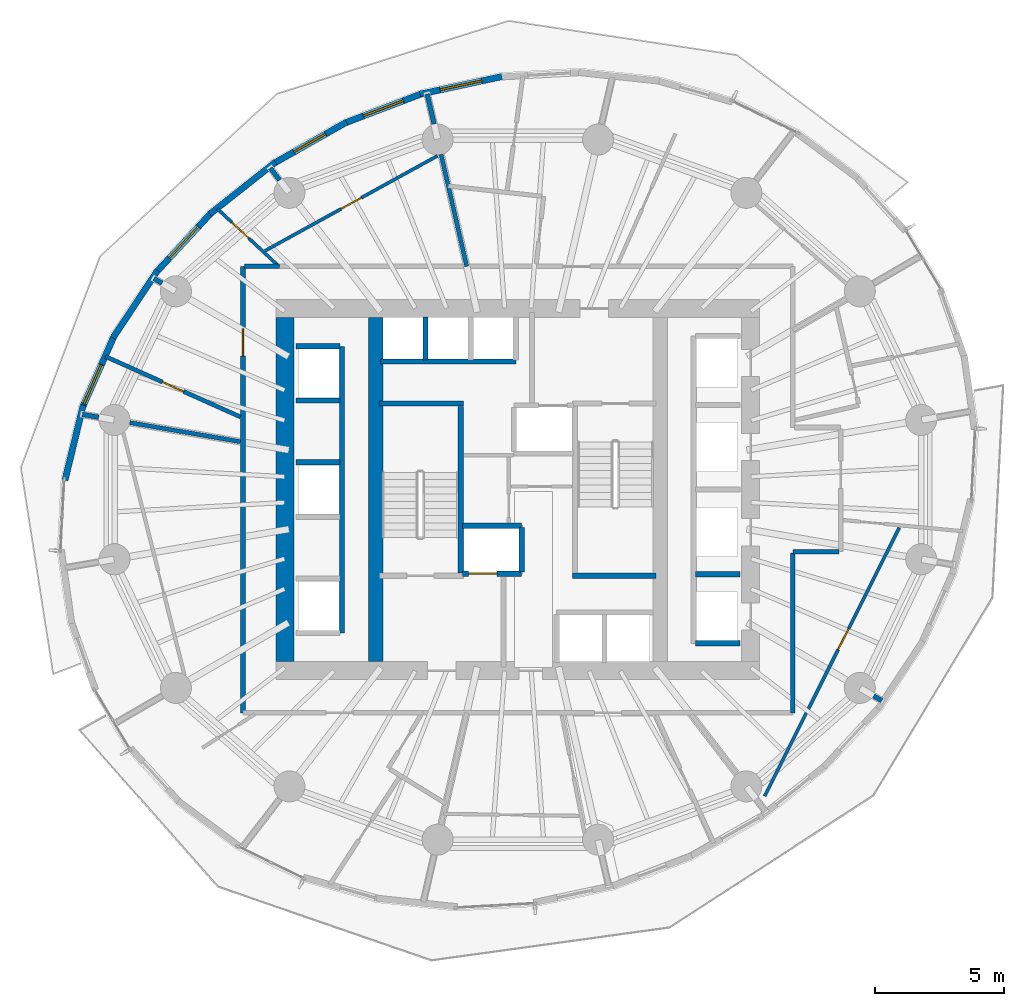
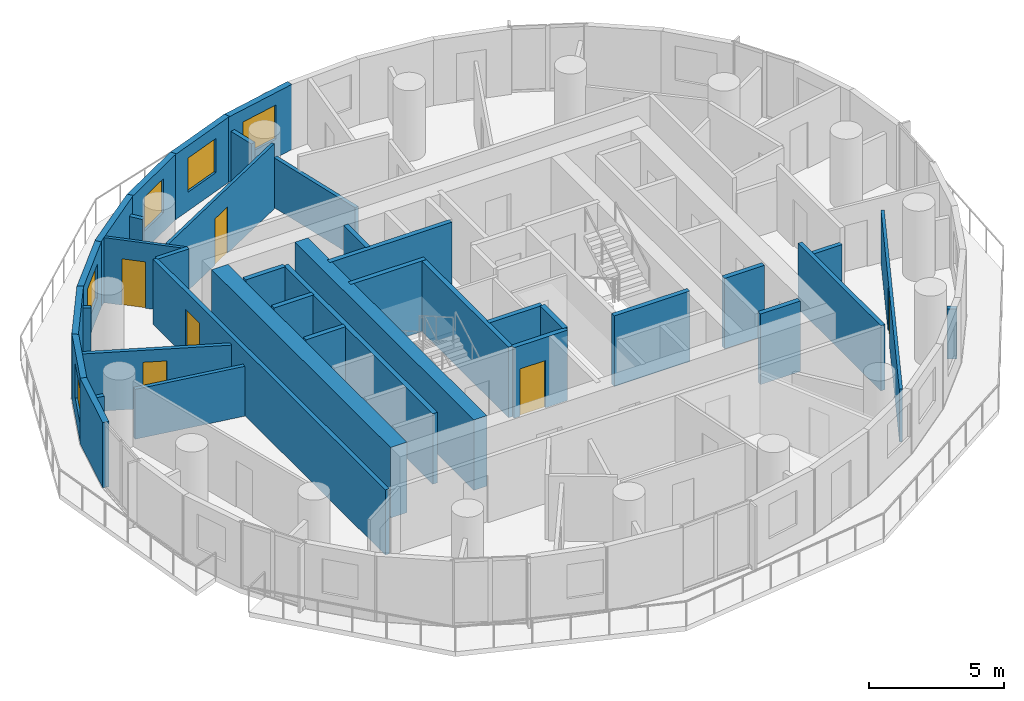
# One storey, part 8 of 15: 39 walls, 6 doors, 5 windows, 11 openings.
"""IFC4 building model written with IfcOpenShell, lengths in metres."""

from ifc_helpers import new_model, si_unit, direction, frame, frame_2d, origin, place, context, subcontext, project, spatial, rectangle, extrude, material, layer, layer_set, type_object, element, fill, save


model = new_model("IFC4")

# Units and contexts
model_context = context("Model", 3, precision=1e-05, world=origin(), true_north=direction((0.0, 1.0)))
body_context = subcontext(model_context, "Body", "Model", "MODEL_VIEW")
ifc_project = project(units=[si_unit("LENGTHUNIT", "METRE"), si_unit("AREAUNIT", "SQUARE_METRE"), si_unit("VOLUMEUNIT", "CUBIC_METRE"), si_unit("PLANEANGLEUNIT", "RADIAN"), si_unit("MASSUNIT", "GRAM", prefix="KILO")], contexts=[model_context])

# Site, building, storey
site_placement = place(None, origin())
site = spatial("IfcSite", under=ifc_project, at=site_placement, CompositionType="ELEMENT")
building_placement = place(site_placement, origin())
building = spatial("IfcBuilding", under=site, at=building_placement, Name="Veldorim Arch Residences", CompositionType="ELEMENT")
storey_placement = place(building_placement, frame((0.0, 0.0, 106.080078125)))
storey = spatial("IfcBuildingStorey", under=building, at=storey_placement, Name="L31", CompositionType="ELEMENT", Elevation=106.080078125)

# Wall, opening, door
ifc_material_1 = material(Name="Acoustic Gypsum Board", Category="gypsum")
ifc_layer_1 = layer(ifc_material_1, 0.125, Name="Acoustic Stud Room Partition Wall 125")
ifc_layer_set_1 = layer_set([ifc_layer_1], Name="Acoustic Gypsum Board")
wall_type_1 = type_object("IfcWallType", Name="Acoustic Stud Room Partition Wall 125", PredefinedType="PARTITIONING", material=ifc_layer_set_1)
wall_1_placement = place(storey_placement, frame((46.745849609375, 22.527587890625, 0.0), z_axis=(0.0, 0.0, 1.0), x_axis=(-0.448357094434, -0.893854527242, 0.0)))
wall_1 = element("IfcWall", 1, at=wall_1_placement, inside=storey, type_object=wall_type_1, Name="L31 interior wall WL-RES-L31-021", PredefinedType="PARTITIONING", context=body_context, shape_type="SweptSolid", body=[
    extrude(rectangle(XDim=11.61083984375, YDim=0.125, at=frame_2d((5.805419921875, 0.0))), origin(), (0.0, 0.0, 1.0), 2.4033203125),
])
opening_1_placement = place(wall_1_placement, frame((4.37548828125, 0.0, 0.0)))
opening_1 = element("IfcOpeningElement", 2, at=opening_1_placement, cuts=wall_1, Name="Opening DR-INT", PredefinedType="OPENING", context=body_context, shape_type="SweptSolid", body=[
    extrude(rectangle(XDim=0.89990234375, YDim=2.10009765625, at=frame_2d((0.449951171875, 1.050048828125))), frame((0.0, 0.072509765625, 0.0), z_axis=(0.0, -1.0, 0.0), x_axis=(1.0, 0.0, 0.0)), (0.0, 0.0, 1.0), 0.14501953125),
])
ifc_material_2 = material(Name="Engineered Timber", Category="wood")
door_type_1 = type_object("IfcDoorType", Name="Apartment Internal Room Timber Door 900x2100", OperationType="SINGLE_SWING_LEFT", PredefinedType="DOOR", material=ifc_material_2)
door_1_placement = place(opening_1_placement, origin())
door_1 = element("IfcDoor", 3, at=door_1_placement, inside=storey, type_object=door_type_1, Name="L31 interior door DR-RES-L31-008", OperationType="SINGLE_SWING_RIGHT", OverallHeight=2.10009765625, OverallWidth=0.89990234375, PredefinedType="DOOR", context=body_context, shape_type="SweptSolid", body=[
    extrude(rectangle(XDim=0.89990234375, YDim=2.10009765625, at=frame_2d((0.449951171875, 1.050048828125))), frame((0.0, 0.02490234375, 0.0), z_axis=(0.0, -1.0, 0.0), x_axis=(1.0, 0.0, 0.0)), (0.0, 0.0, 1.0), 0.050048828125),
])
fill(opening_1, door_1)

wall_2_placement = place(storey_placement, frame((20.372802734375, 34.86328125, 0.0), z_axis=(0.0, 0.0, 1.0), x_axis=(0.730692833249, -0.682706366924, 0.0)))
wall_2 = element("IfcWall", 4, at=wall_2_placement, inside=storey, type_object=wall_type_1, Name="L31 interior wall WL-RES-L31-029", PredefinedType="PARTITIONING", context=body_context, shape_type="SweptSolid", body=[
    extrude(rectangle(XDim=3.271484375, YDim=0.125, at=frame_2d((1.6357421875, 0.0))), origin(), (0.0, 0.0, 1.0), 2.954833984375),
])
opening_2_placement = place(wall_2_placement, frame((0.781494140625, 0.0, 0.0)))
opening_2 = element("IfcOpeningElement", 5, at=opening_2_placement, cuts=wall_2, Name="Opening DR-INT", PredefinedType="OPENING", context=body_context, shape_type="SweptSolid", body=[
    extrude(rectangle(XDim=0.89990234375, YDim=2.10009765625, at=frame_2d((0.449951171875, 1.050048828125))), frame((0.0, 0.072509765625, 0.0), z_axis=(0.0, -1.0, 0.0), x_axis=(1.0, 0.0, 0.0)), (0.0, 0.0, 1.0), 0.14501953125),
])
door_2_placement = place(opening_2_placement, origin())
door_2 = element("IfcDoor", 6, at=door_2_placement, inside=storey, type_object=door_type_1, Name="L31 interior door DR-RES-L31-017", OperationType="SINGLE_SWING_LEFT", OverallHeight=2.10009765625, OverallWidth=0.89990234375, PredefinedType="DOOR", context=body_context, shape_type="SweptSolid", body=[
    extrude(rectangle(XDim=0.89990234375, YDim=2.10009765625, at=frame_2d((0.449951171875, 1.050048828125))), frame((0.0, 0.02490234375, 0.0), z_axis=(0.0, -1.0, 0.0), x_axis=(1.0, 0.0, 0.0)), (0.0, 0.0, 1.0), 0.050048828125),
])
fill(opening_2, door_2)

wall_3_placement = place(storey_placement, frame((28.8935546875, 36.90673828125, 0.0), z_axis=(0.0, 0.0, 1.0), x_axis=(-0.875900786778, -0.482491255591, 0.0)))
wall_3 = element("IfcWall", 7, at=wall_3_placement, inside=storey, type_object=wall_type_1, Name="L31 interior wall WL-RES-L31-031", PredefinedType="PARTITIONING", context=body_context, shape_type="SweptSolid", body=[
    extrude(rectangle(XDim=7.61083984375, YDim=0.125, at=frame_2d((3.805419921875, 0.0))), origin(), (0.0, 0.0, 1.0), 2.954833984375),
])
opening_3_placement = place(wall_3_placement, frame((3.355224609375, 0.0, 0.0)))
opening_3 = element("IfcOpeningElement", 8, at=opening_3_placement, cuts=wall_3, Name="Opening DR-INT", PredefinedType="OPENING", context=body_context, shape_type="SweptSolid", body=[
    extrude(rectangle(XDim=0.89990234375, YDim=2.10009765625, at=frame_2d((0.449951171875, 1.050048828125))), frame((0.0, 0.072509765625, 0.0), z_axis=(0.0, -1.0, 0.0), x_axis=(1.0, 0.0, 0.0)), (0.0, 0.0, 1.0), 0.14501953125),
])
door_3_placement = place(opening_3_placement, origin())
door_3 = element("IfcDoor", 9, at=door_3_placement, inside=storey, type_object=door_type_1, Name="L31 interior door DR-RES-L31-018", OperationType="SINGLE_SWING_RIGHT", OverallHeight=2.10009765625, OverallWidth=0.89990234375, PredefinedType="DOOR", context=body_context, shape_type="SweptSolid", body=[
    extrude(rectangle(XDim=0.89990234375, YDim=2.10009765625, at=frame_2d((0.449951171875, 1.050048828125))), frame((0.0, 0.02490234375, 0.0), z_axis=(0.0, -1.0, 0.0), x_axis=(1.0, 0.0, 0.0)), (0.0, 0.0, 1.0), 0.050048828125),
])
fill(opening_3, door_3)

# Walls
ifc_material_3 = material(Name="Lightweight Masonry Block & Gypsum", Category="masonry")
ifc_layer_2 = layer(ifc_material_3, 0.179931640625, Name="Compartment & Corridor Fire-Rated Party Wall 180")
ifc_layer_set_2 = layer_set([ifc_layer_2], Name="Lightweight Masonry Block & Gypsum")
wall_type_2 = type_object("IfcWallType", Name="Compartment & Corridor Fire-Rated Party Wall 180", PredefinedType="PARTITIONING", material=ifc_layer_set_2)
wall_4_placement = place(storey_placement, frame((28.759521484375, 38.13916015625, 0.0), z_axis=(0.0, 0.0, 1.0), x_axis=(-0.223327310752, 0.974743511018, 0.0)))
element("IfcWall", 10, at=wall_4_placement, inside=storey, type_object=wall_type_2, Name="L31 interior wall WL-PIER-L31-05", PredefinedType="PARTITIONING", context=body_context, shape_type="SweptSolid", body=[
    extrude(rectangle(XDim=1.187255859375, YDim=0.179931640625, at=frame_2d((0.59375, 0.0))), origin(), (0.0, 0.0, 1.0), 2.260498046875),
])
wall_5_placement = place(storey_placement, frame((22.7880859375, 35.965576171875, 0.0), z_axis=(0.0, 0.0, 1.0), x_axis=(-0.609790512648, 0.792562635181, 0.0)))
element("IfcWall", 11, at=wall_5_placement, inside=storey, type_object=wall_type_2, Name="L31 interior wall WL-PIER-L31-06", PredefinedType="PARTITIONING", context=body_context, shape_type="SweptSolid", body=[
    extrude(rectangle(XDim=0.591796875, YDim=0.179931640625, at=frame_2d((0.2958984375, 0.0))), origin(), (0.0, 0.0, 1.0), 2.260498046875),
])
wall_6_placement = place(storey_placement, frame((18.243408203125, 31.977783203125, 0.0), z_axis=(0.0, 0.0, 1.0), x_axis=(-0.864891917132, 0.501958137377, 0.0)))
element("IfcWall", 12, at=wall_6_placement, inside=storey, type_object=wall_type_2, Name="L31 interior wall WL-PIER-L31-07", PredefinedType="PARTITIONING", context=body_context, shape_type="SweptSolid", body=[
    extrude(rectangle(XDim=0.365234375, YDim=0.179931640625, at=frame_2d((0.1826171875, 0.0))), origin(), (0.0, 0.0, 1.0), 2.260498046875),
])
wall_7_placement = place(storey_placement, frame((15.79443359375, 26.797607421875, 0.0), z_axis=(0.0, 0.0, 1.0), x_axis=(-0.985389793052, 0.170314285219, 0.0)))
element("IfcWall", 13, at=wall_7_placement, inside=storey, type_object=wall_type_2, Name="L31 interior wall WL-PIER-L31-08", PredefinedType="PARTITIONING", context=body_context, shape_type="SweptSolid", body=[
    extrude(rectangle(XDim=0.64208984375, YDim=0.179931640625, at=frame_2d((0.321044921875, 0.0))), origin(), (0.0, 0.0, 1.0), 2.260498046875),
])
wall_8_placement = place(storey_placement, frame((45.756591796875, 16.022216796875, 0.0), z_axis=(0.0, 0.0, 1.0), x_axis=(0.864891917132, -0.501958137377, 0.0)))
element("IfcWall", 14, at=wall_8_placement, inside=storey, type_object=wall_type_2, Name="L31 interior wall WL-PIER-L31-15", PredefinedType="PARTITIONING", context=body_context, shape_type="SweptSolid", body=[
    extrude(rectangle(XDim=0.365234375, YDim=0.179931640625, at=frame_2d((0.1826171875, 0.0))), origin(), (0.0, 0.0, 1.0), 2.260498046875),
])
wall_9_placement = place(storey_placement, frame((44.419921875, 21.60009765625, 0.0), z_axis=(0.0, 0.0, 1.0), x_axis=(-1.0, 0.0, 0.0)))
element("IfcWall", 15, at=wall_9_placement, inside=storey, type_object=wall_type_2, Name="L31 interior wall WL-RES-L31-005", PredefinedType="PARTITIONING", context=body_context, shape_type="SweptSolid", body=[
    extrude(rectangle(XDim=1.7900390625, YDim=0.179931640625, at=frame_2d((0.89501953125, 0.0))), origin(), (0.0, 0.0, 1.0), 2.260498046875),
])
wall_10_placement = place(storey_placement, frame((42.6298828125, 21.5400390625, 0.0), z_axis=(0.0, 0.0, 1.0), x_axis=(0.0, -1.0, 0.0)))
element("IfcWall", 16, at=wall_10_placement, inside=storey, type_object=wall_type_2, Name="L31 interior wall WL-RES-L31-006", PredefinedType="PARTITIONING", context=body_context, shape_type="SweptSolid", body=[
    extrude(rectangle(XDim=6.169921875, YDim=0.179931640625, at=frame_2d((3.0849609375, 0.0))), origin(), (0.0, 0.0, 1.0), 2.954833984375),
])

# Wall, opening, door
wall_11_placement = place(storey_placement, frame((21.3701171875, 15.3701171875, 0.0), z_axis=(0.0, 0.0, 1.0), x_axis=(0.0, 1.0, 0.0)))
wall_11 = element("IfcWall", 17, at=wall_11_placement, inside=storey, type_object=wall_type_2, Name="L31 interior wall WL-RES-L31-008", PredefinedType="PARTITIONING", context=body_context, shape_type="SweptSolid", body=[
    extrude(rectangle(XDim=17.259765625, YDim=0.179931640625, at=frame_2d((8.6298828125, 0.0))), origin(), (0.0, 0.0, 1.0), 2.954833984375),
])
opening_4_placement = place(wall_11_placement, frame((13.794189453125, 0.0, 0.0)))
opening_4 = element("IfcOpeningElement", 18, at=opening_4_placement, cuts=wall_11, Name="Opening DR-FLT", PredefinedType="OPENING", context=body_context, shape_type="SweptSolid", body=[
    extrude(rectangle(XDim=1.050048828125, YDim=2.14990234375, at=frame_2d((0.52490234375, 1.074951171875))), frame((0.0, 0.099853515625, 0.0), z_axis=(0.0, -1.0, 0.0), x_axis=(1.0, 0.0, 0.0)), (0.0, 0.0, 1.0), 0.199951171875),
])
ifc_material_4 = material(Name="Fire-Rated Timber", Category="wood")
door_type_2 = type_object("IfcDoorType", Name="Apartment Entrance Solid-Core Fire Door 1050x2150", OperationType="SINGLE_SWING_LEFT", PredefinedType="DOOR", material=ifc_material_4)
door_4_placement = place(opening_4_placement, origin())
door_4 = element("IfcDoor", 19, at=door_4_placement, inside=storey, type_object=door_type_2, Name="L31 interior door DR-RES-L31-015", OperationType="SINGLE_SWING_LEFT", OverallHeight=2.14990234375, OverallWidth=1.050048828125, PredefinedType="DOOR", context=body_context, shape_type="SweptSolid", body=[
    extrude(rectangle(XDim=1.050048828125, YDim=2.14990234375, at=frame_2d((0.52490234375, 1.074951171875))), frame((0.0, 0.02490234375, 0.0), z_axis=(0.0, -1.0, 0.0), x_axis=(1.0, 0.0, 0.0)), (0.0, 0.0, 1.0), 0.050048828125),
])
fill(opening_4, door_4)

# Walls
wall_12_placement = place(storey_placement, frame((21.429931640625, 32.6298828125, 0.0), z_axis=(0.0, 0.0, 1.0), x_axis=(1.0, 0.0, 0.0)))
element("IfcWall", 20, at=wall_12_placement, inside=storey, type_object=wall_type_2, Name="L31 interior wall WL-RES-L31-009", PredefinedType="PARTITIONING", context=body_context, shape_type="SweptSolid", body=[
    extrude(rectangle(XDim=1.353271484375, YDim=0.179931640625, at=frame_2d((0.6767578125, 0.0))), origin(), (0.0, 0.0, 1.0), 2.954833984375),
])
ifc_material_5 = material(Name="Concrete C50/60", Category="concrete")
ifc_layer_3 = layer(ifc_material_5, 0.199951171875, Name="Core Stair & Lift Shaft Enclosure Wall 200")
ifc_layer_set_3 = layer_set([ifc_layer_3], Name="Concrete C50/60")
wall_type_3 = type_object("IfcWallType", Name="Core Stair & Lift Shaft Enclosure Wall 200", PredefinedType="SHEAR", material=ifc_layer_set_3)
wall_13_placement = place(storey_placement, frame((29.7900390625, 20.780029296875, 0.0), z_axis=(0.0, 0.0, 1.0), x_axis=(0.0, 1.0, 0.0)))
element("IfcWall", 21, at=wall_13_placement, inside=storey, type_object=wall_type_3, Name="L31 shaft wall WL-SHF-L31-ST1-E", PredefinedType="SHEAR", context=body_context, shape_type="SweptSolid", body=[
    extrude(rectangle(XDim=6.43994140625, YDim=0.199951171875, at=frame_2d((3.219970703125, 0.0))), origin(), (0.0, 0.0, 1.0), 3.199951171875),
])
for number, where, z_axis, x_axis, name in (
    (22, (26.64990234375, 27.330078125, 0.0), (0.0, 0.0, 1.0), (1.0, 0.0, 0.0), "L31 shaft wall WL-SHF-L31-ST1-N"),
    (23, (34.110107421875, 20.669921875, 0.0), (0.0, 0.0, 1.0), (1.0, 0.0, 0.0), "L31 shaft wall WL-SHF-L31-ST2-S"),
):
    element("IfcWall", number, at=place(storey_placement, frame(where, z_axis=z_axis, x_axis=x_axis)), inside=storey, type_object=wall_type_3, Name=name, PredefinedType="SHEAR", context=body_context, shape_type="SweptSolid", body=[
        extrude(rectangle(XDim=3.239990234375, YDim=0.199951171875, at=frame_2d((1.6201171875, 0.0))), origin(), (0.0, 0.0, 1.0), 3.199951171875),
    ])

# Wall, opening, door
wall_14_placement = place(storey_placement, frame((29.85009765625, 20.75, 0.0), z_axis=(0.0, 0.0, 1.0), x_axis=(1.0, 0.0, 0.0)))
wall_14 = element("IfcWall", 24, at=wall_14_placement, inside=storey, type_object=wall_type_3, Name="L31 shaft wall WL-FL01-L31-S", PredefinedType="SHEAR", context=body_context, shape_type="SweptSolid", body=[
    extrude(rectangle(XDim=2.2998046875, YDim=0.199951171875, at=frame_2d((1.14990234375, 0.0))), origin(), (0.0, 0.0, 1.0), 3.199951171875),
])
opening_5_placement = place(wall_14_placement, frame((0.25, 0.0, 0.0)))
opening_5 = element("IfcOpeningElement", 25, at=opening_5_placement, cuts=wall_14, Name="Opening LD-FF", PredefinedType="OPENING", context=body_context, shape_type="SweptSolid", body=[
    extrude(rectangle(XDim=1.10009765625, YDim=2.14990234375, at=frame_2d((0.550048828125, 1.074951171875))), frame((0.0, 0.10986328125, 0.0), z_axis=(0.0, -1.0, 0.0), x_axis=(1.0, 0.0, 0.0)), (0.0, 0.0, 1.0), 0.219970703125),
])
ifc_material_6 = material(Name="Stainless Steel", Category="steel")
door_type_3 = type_object("IfcDoorType", Name="Firefighting Lift Bi-Parting Sliding Landing Door 1100x2150", OperationType="DOUBLE_DOOR_SLIDING", PredefinedType="DOOR", material=ifc_material_6)
door_5_placement = place(opening_5_placement, origin())
door_5 = element("IfcDoor", 26, at=door_5_placement, inside=storey, type_object=door_type_3, Name="L31 lift landing door LD-L31-FL01", OperationType="DOUBLE_DOOR_SLIDING", OverallHeight=2.14990234375, OverallWidth=1.10009765625, PredefinedType="DOOR", context=body_context, shape_type="SweptSolid", body=[
    extrude(rectangle(XDim=1.10009765625, YDim=2.14990234375, at=frame_2d((0.550048828125, 1.074951171875))), frame((0.0, 0.02490234375, 0.0), z_axis=(0.0, -1.0, 0.0), x_axis=(1.0, 0.0, 0.0)), (0.0, 0.0, 1.0), 0.050048828125),
])
fill(opening_5, door_5)

# Walls
wall_15_placement = place(storey_placement, frame((29.85009765625, 22.60009765625, 0.0), z_axis=(0.0, 0.0, 1.0), x_axis=(1.0, 0.0, 0.0)))
element("IfcWall", 27, at=wall_15_placement, inside=storey, type_object=wall_type_3, Name="L31 shaft wall WL-FL01-L31-N", PredefinedType="SHEAR", context=body_context, shape_type="SweptSolid", body=[
    extrude(rectangle(XDim=2.2998046875, YDim=0.199951171875, at=frame_2d((1.14990234375, 0.0))), origin(), (0.0, 0.0, 1.0), 3.199951171875),
])
for number, where, z_axis, x_axis, name in (
    (28, (32.14990234375, 20.820068359375, 0.0), (0.0, 0.0, 1.0), (0.0, 1.0, 0.0), "L31 shaft wall WL-FL01-L31-E"),
    (29, (38.8701171875, 18.06005859375, 0.0), (0.0, 0.0, 1.0), (1.0, 0.0, 0.0), "L31 shaft wall WL-B1-L31-S"),
    (30, (38.8701171875, 20.72509765625, 0.0), (0.0, 0.0, 1.0), (1.0, 0.0, 0.0), "L31 shaft wall WL-B1-L31-D1"),
):
    element("IfcWall", number, at=place(storey_placement, frame(where, z_axis=z_axis, x_axis=x_axis)), inside=storey, type_object=wall_type_3, Name=name, PredefinedType="SHEAR", context=body_context, shape_type="SweptSolid", body=[
        extrude(rectangle(XDim=1.7099609375, YDim=0.199951171875, at=frame_2d((0.85498046875, 0.0))), origin(), (0.0, 0.0, 1.0), 3.199951171875),
    ])
wall_16_placement = place(storey_placement, frame((25.199951171875, 18.4599609375, 0.0), z_axis=(0.0, 0.0, 1.0), x_axis=(0.0, 1.0, 0.0)))
element("IfcWall", 31, at=wall_16_placement, inside=storey, type_object=wall_type_3, Name="L31 shaft wall WL-B2-L31-E", PredefinedType="SHEAR", context=body_context, shape_type="SweptSolid", body=[
    extrude(rectangle(XDim=11.080078125, YDim=0.199951171875, at=frame_2d((5.5400390625, 0.0))), origin(), (0.0, 0.0, 1.0), 3.199951171875),
])
for number, where, z_axis, x_axis, name in (
    (32, (23.419921875, 29.5400390625, 0.0), (0.0, 0.0, 1.0), (1.0, 0.0, 0.0), "L31 shaft wall WL-B2-L31-N"),
    (33, (23.419921875, 25.06005859375, 0.0), (0.0, 0.0, 1.0), (1.0, 0.0, 0.0), "L31 shaft wall WL-B2-L31-D2A"),
    (34, (23.419921875, 27.43994140625, 0.0), (0.0, 0.0, 1.0), (1.0, 0.0, 0.0), "L31 shaft wall WL-B2-L31-D2B"),
):
    element("IfcWall", number, at=place(storey_placement, frame(where, z_axis=z_axis, x_axis=x_axis)), inside=storey, type_object=wall_type_3, Name=name, PredefinedType="SHEAR", context=body_context, shape_type="SweptSolid", body=[
        extrude(rectangle(XDim=1.7099609375, YDim=0.199951171875, at=frame_2d((0.85498046875, 0.0))), origin(), (0.0, 0.0, 1.0), 3.199951171875),
    ])
wall_17_placement = place(storey_placement, frame((26.679931640625, 28.949951171875, 0.0), z_axis=(0.0, 0.0, 1.0), x_axis=(1.0, 0.0, 0.0)))
element("IfcWall", 35, at=wall_17_placement, inside=storey, type_object=wall_type_3, Name="L31 shaft wall WL-B3-L31-S", PredefinedType="SHEAR", context=body_context, shape_type="SweptSolid", body=[
    extrude(rectangle(XDim=5.239990234375, YDim=0.199951171875, at=frame_2d((2.6201171875, 0.0))), origin(), (0.0, 0.0, 1.0), 3.199951171875),
])
wall_18_placement = place(storey_placement, frame((28.425048828125, 29.02001953125, 0.0), z_axis=(0.0, 0.0, 1.0), x_axis=(0.0, 1.0, 0.0)))
element("IfcWall", 36, at=wall_18_placement, inside=storey, type_object=wall_type_3, Name="L31 shaft wall WL-B3-L31-D1", PredefinedType="SHEAR", context=body_context, shape_type="SweptSolid", body=[
    extrude(rectangle(XDim=1.659912109375, YDim=0.199951171875, at=frame_2d((0.830078125, 0.0))), origin(), (0.0, 0.0, 1.0), 3.199951171875),
])
ifc_material_7 = material(Name="Concrete C60/75", Category="concrete")
ifc_layer_4 = layer(ifc_material_7, 0.56005859375, Name="Internal Core Shear Web Wall 560")
ifc_layer_set_4 = layer_set([ifc_layer_4], Name="Concrete C60/75")
wall_type_4 = type_object("IfcWallType", Name="Internal Core Shear Web Wall 560", PredefinedType="SHEAR", material=ifc_layer_set_4)
wall_19_placement = place(storey_placement, frame((26.5, 17.35009765625, 0.0), z_axis=(0.0, 0.0, 1.0), x_axis=(0.0, 1.0, 0.0)))
element("IfcWall", 37, at=wall_19_placement, inside=storey, type_object=wall_type_4, Name="L31 core west internal shear web", PredefinedType="SHEAR", context=body_context, shape_type="SweptSolid", body=[
    extrude(rectangle(XDim=13.2998046875, YDim=0.56005859375, at=frame_2d((6.64990234375, 0.0))), origin(), (0.0, 0.0, 1.0), 3.199951171875),
])
ifc_material_8 = material(Name="Concrete C60/75", Category="concrete")
ifc_layer_5 = layer(ifc_material_8, 0.699951171875, Name="Mid-Lower Central Core Shear Wall 700")
ifc_layer_set_5 = layer_set([ifc_layer_5], Name="Concrete C60/75")
wall_type_5 = type_object("IfcWallType", Name="Mid-Lower Central Core Shear Wall 700", PredefinedType="SHEAR", material=ifc_layer_set_5)
wall_20_placement = place(storey_placement, frame((23.0, 17.35009765625, 0.0), z_axis=(0.0, 0.0, 1.0), x_axis=(0.0, 1.0, 0.0)))
element("IfcWall", 38, at=wall_20_placement, inside=storey, type_object=wall_type_5, Name="L31 central core west shear wall", PredefinedType="SHEAR", context=body_context, shape_type="SweptSolid", body=[
    extrude(rectangle(XDim=13.2998046875, YDim=0.699951171875, at=frame_2d((6.64990234375, 0.0))), origin(), (0.0, 0.0, 1.0), 3.199951171875),
])

# Wall, opening, window
ifc_material_9 = material(Name="Precast concrete C40/50", Category="concrete")
ifc_layer_6 = layer(ifc_material_9, 0.25, Name="Tower Terracotta Spandrel & Pier Wall 250")
ifc_layer_set_6 = layer_set([ifc_layer_6], Name="Precast concrete C40/50")
wall_type_6 = type_object("IfcWallType", Name="Tower Terracotta Spandrel & Pier Wall 250", PredefinedType="SOLIDWALL", material=ifc_layer_set_6)
wall_21_placement = place(storey_placement, frame((28.216796875, 39.29296875, 0.0), z_axis=(0.0, 0.0, 1.0), x_axis=(0.977758229837, 0.209735175845, 0.0)))
wall_21 = element("IfcWall", 39, at=wall_21_placement, inside=storey, type_object=wall_type_6, Name="L31 terracotta facade wall 08", PredefinedType="SOLIDWALL", context=body_context, shape_type="SweptSolid", body=[
    extrude(rectangle(XDim=3.236083984375, YDim=0.25, at=frame_2d((1.6181640625, 0.0))), origin(), (0.0, 0.0, 1.0), 2.9599609375),
])
opening_6_placement = place(wall_21_placement, frame((0.79296875, 0.0, 0.85009765625)))
opening_6 = element("IfcOpeningElement", 40, at=opening_6_placement, cuts=wall_21, Name="Opening WN-03", PredefinedType="OPENING", context=body_context, shape_type="SweptSolid", body=[
    extrude(rectangle(XDim=1.64990234375, YDim=1.550048828125, at=frame_2d((0.824951171875, 0.77490234375))), frame((0.0, 0.135009765625, 0.0), z_axis=(0.0, -1.0, 0.0), x_axis=(1.0, 0.0, 0.0)), (0.0, 0.0, 1.0), 0.27001953125),
])
ifc_material_10 = material(Name="Laminated Low-E Glass", Category="glass")
window_type_1 = type_object("IfcWindowType", Name="Residential Wide Window 1650x1550", PartitioningType="SINGLE_PANEL", PredefinedType="WINDOW", material=ifc_material_10)
window_1_placement = place(opening_6_placement, origin())
window_1 = element("IfcWindow", 41, at=window_1_placement, inside=storey, type_object=window_type_1, Name="L31 solar-control facade window 08", OverallHeight=1.550048828125, OverallWidth=1.64990234375, PartitioningType="SINGLE_PANEL", PredefinedType="WINDOW", context=body_context, shape_type="SweptSolid", body=[
    extrude(rectangle(XDim=1.64990234375, YDim=1.550048828125, at=frame_2d((0.824951171875, 0.77490234375))), frame((0.0, 0.030029296875, 0.0), z_axis=(0.0, -1.0, 0.0), x_axis=(1.0, 0.0, 0.0)), (0.0, 0.0, 1.0), 0.06005859375),
])
fill(opening_6, window_1)

wall_22_placement = place(storey_placement, frame((25.275146484375, 38.16357421875, 0.0), z_axis=(0.0, 0.0, 1.0), x_axis=(0.934481801939, 0.3560109013, 0.0)))
wall_22 = element("IfcWall", 42, at=wall_22_placement, inside=storey, type_object=wall_type_6, Name="L31 terracotta facade wall 09", PredefinedType="SOLIDWALL", context=body_context, shape_type="SweptSolid", body=[
    extrude(rectangle(XDim=3.259521484375, YDim=0.25, at=frame_2d((1.6298828125, 0.0))), origin(), (0.0, 0.0, 1.0), 2.9599609375),
])
opening_7_placement = place(wall_22_placement, frame((0.804931640625, 0.0, 0.85009765625)))
opening_7 = element("IfcOpeningElement", 43, at=opening_7_placement, cuts=wall_22, Name="Opening WN-03", PredefinedType="OPENING", context=body_context, shape_type="SweptSolid", body=[
    extrude(rectangle(XDim=1.64990234375, YDim=1.550048828125, at=frame_2d((0.824951171875, 0.77490234375))), frame((0.0, 0.135009765625, 0.0), z_axis=(0.0, -1.0, 0.0), x_axis=(1.0, 0.0, 0.0)), (0.0, 0.0, 1.0), 0.27001953125),
])
window_2_placement = place(opening_7_placement, origin())
window_2 = element("IfcWindow", 44, at=window_2_placement, inside=storey, type_object=window_type_1, Name="L31 solar-control facade window 09", OverallHeight=1.550048828125, OverallWidth=1.64990234375, PartitioningType="SINGLE_PANEL", PredefinedType="WINDOW", context=body_context, shape_type="SweptSolid", body=[
    extrude(rectangle(XDim=1.64990234375, YDim=1.550048828125, at=frame_2d((0.824951171875, 0.77490234375))), frame((0.0, 0.030029296875, 0.0), z_axis=(0.0, -1.0, 0.0), x_axis=(1.0, 0.0, 0.0)), (0.0, 0.0, 1.0), 0.06005859375),
])
fill(opening_7, window_2)

wall_23_placement = place(storey_placement, frame((22.537841796875, 36.6025390625, 0.0), z_axis=(0.0, 0.0, 1.0), x_axis=(0.869984700924, 0.493078715986, 0.0)))
wall_23 = element("IfcWall", 45, at=wall_23_placement, inside=storey, type_object=wall_type_6, Name="L31 terracotta facade wall 10", PredefinedType="SOLIDWALL", context=body_context, shape_type="SweptSolid", body=[
    extrude(rectangle(XDim=3.259521484375, YDim=0.25, at=frame_2d((1.6298828125, 0.0))), origin(), (0.0, 0.0, 1.0), 2.9599609375),
])
opening_8_placement = place(wall_23_placement, frame((0.929931640625, 0.0, 0.85009765625)))
opening_8 = element("IfcOpeningElement", 46, at=opening_8_placement, cuts=wall_23, Name="Opening WN-02", PredefinedType="OPENING", context=body_context, shape_type="SweptSolid", body=[
    extrude(rectangle(XDim=1.39990234375, YDim=1.550048828125, at=frame_2d((0.699951171875, 0.77490234375))), frame((0.0, 0.135009765625, 0.0), z_axis=(0.0, -1.0, 0.0), x_axis=(1.0, 0.0, 0.0)), (0.0, 0.0, 1.0), 0.27001953125),
])
ifc_material_11 = material(Name="Laminated Low-E Glass", Category="glass")
window_type_2 = type_object("IfcWindowType", Name="Residential Casement Window 1400x1550", PartitioningType="SINGLE_PANEL", PredefinedType="WINDOW", material=ifc_material_11)
window_3_placement = place(opening_8_placement, origin())
window_3 = element("IfcWindow", 47, at=window_3_placement, inside=storey, type_object=window_type_2, Name="L31 solar-control facade window 10", OverallHeight=1.550048828125, OverallWidth=1.39990234375, PartitioningType="SINGLE_PANEL", PredefinedType="WINDOW", context=body_context, shape_type="SweptSolid", body=[
    extrude(rectangle(XDim=1.39990234375, YDim=1.550048828125, at=frame_2d((0.699951171875, 0.77490234375))), frame((0.0, 0.030029296875, 0.0), z_axis=(0.0, -1.0, 0.0), x_axis=(1.0, 0.0, 0.0)), (0.0, 0.0, 1.0), 0.06005859375),
])
fill(opening_8, window_3)

# Wall
wall_24_placement = place(storey_placement, frame((20.088134765625, 34.65771484375, 0.0), z_axis=(0.0, 0.0, 1.0), x_axis=(0.784871179145, 0.619658964389, 0.0)))
element("IfcWall", 48, at=wall_24_placement, inside=storey, type_object=wall_type_6, Name="L31 terracotta facade wall 11", PredefinedType="SOLIDWALL", context=body_context, shape_type="SweptSolid", body=[
    extrude(rectangle(XDim=3.236328125, YDim=0.25, at=frame_2d((1.6181640625, 0.0))), origin(), (0.0, 0.0, 1.0), 2.9599609375),
])

# Wall, opening, window
wall_25_placement = place(storey_placement, frame((18.001220703125, 32.388427734375, 0.0), z_axis=(0.0, 0.0, 1.0), x_axis=(0.678956449941, 0.734178547142, 0.0)))
wall_25 = element("IfcWall", 49, at=wall_25_placement, inside=storey, type_object=wall_type_6, Name="L31 terracotta facade wall 12", PredefinedType="SOLIDWALL", context=body_context, shape_type="SweptSolid", body=[
    extrude(rectangle(XDim=3.19189453125, YDim=0.25, at=frame_2d((1.595947265625, 0.0))), origin(), (0.0, 0.0, 1.0), 2.9599609375),
])
opening_9_placement = place(wall_25_placement, frame((0.77099609375, 0.0, 0.85009765625)))
opening_9 = element("IfcOpeningElement", 50, at=opening_9_placement, cuts=wall_25, Name="Opening WN-03", PredefinedType="OPENING", context=body_context, shape_type="SweptSolid", body=[
    extrude(rectangle(XDim=1.64990234375, YDim=1.550048828125, at=frame_2d((0.824951171875, 0.77490234375))), frame((0.0, 0.135009765625, 0.0), z_axis=(0.0, -1.0, 0.0), x_axis=(1.0, 0.0, 0.0)), (0.0, 0.0, 1.0), 0.27001953125),
])
window_4_placement = place(opening_9_placement, origin())
window_4 = element("IfcWindow", 51, at=window_4_placement, inside=storey, type_object=window_type_1, Name="L31 solar-control facade window 12", OverallHeight=1.550048828125, OverallWidth=1.64990234375, PartitioningType="SINGLE_PANEL", PredefinedType="WINDOW", context=body_context, shape_type="SweptSolid", body=[
    extrude(rectangle(XDim=1.64990234375, YDim=1.550048828125, at=frame_2d((0.824951171875, 0.77490234375))), frame((0.0, 0.030029296875, 0.0), z_axis=(0.0, -1.0, 0.0), x_axis=(1.0, 0.0, 0.0)), (0.0, 0.0, 1.0), 0.06005859375),
])
fill(opening_9, window_4)

# Wall
wall_26_placement = place(storey_placement, frame((16.340576171875, 29.864013671875, 0.0), z_axis=(0.0, 0.0, 1.0), x_axis=(0.552034347266, 0.833821371421, 0.0)))
element("IfcWall", 52, at=wall_26_placement, inside=storey, type_object=wall_type_6, Name="L31 terracotta facade wall 13", PredefinedType="SOLIDWALL", context=body_context, shape_type="SweptSolid", body=[
    extrude(rectangle(XDim=3.131103515625, YDim=0.25, at=frame_2d((1.5654296875, 0.0))), origin(), (0.0, 0.0, 1.0), 2.9599609375),
])

# Wall, opening, window
wall_27_placement = place(storey_placement, frame((15.156982421875, 27.16162109375, 0.0), z_axis=(0.0, 0.0, 1.0), x_axis=(0.404109525311, 0.914710605357, 0.0)))
wall_27 = element("IfcWall", 53, at=wall_27_placement, inside=storey, type_object=wall_type_6, Name="L31 terracotta facade wall 14", PredefinedType="SOLIDWALL", context=body_context, shape_type="SweptSolid", body=[
    extrude(rectangle(XDim=3.060546875, YDim=0.25, at=frame_2d((1.5302734375, 0.0))), origin(), (0.0, 0.0, 1.0), 2.9599609375),
])
opening_10_placement = place(wall_27_placement, frame((0.175048828125, 0.0, 0.85009765625)))
opening_10 = element("IfcOpeningElement", 54, at=opening_10_placement, cuts=wall_27, Name="Opening WN-03", PredefinedType="OPENING", context=body_context, shape_type="SweptSolid", body=[
    extrude(rectangle(XDim=1.64990234375, YDim=1.550048828125, at=frame_2d((0.824951171875, 0.77490234375))), frame((0.0, 0.135009765625, 0.0), z_axis=(0.0, -1.0, 0.0), x_axis=(1.0, 0.0, 0.0)), (0.0, 0.0, 1.0), 0.27001953125),
])
window_5_placement = place(opening_10_placement, origin())
window_5 = element("IfcWindow", 55, at=window_5_placement, inside=storey, type_object=window_type_1, Name="L31 solar-control facade window 14", OverallHeight=1.550048828125, OverallWidth=1.64990234375, PartitioningType="SINGLE_PANEL", PredefinedType="WINDOW", context=body_context, shape_type="SweptSolid", body=[
    extrude(rectangle(XDim=1.64990234375, YDim=1.550048828125, at=frame_2d((0.824951171875, 0.77490234375))), frame((0.0, 0.030029296875, 0.0), z_axis=(0.0, -1.0, 0.0), x_axis=(1.0, 0.0, 0.0)), (0.0, 0.0, 1.0), 0.06005859375),
])
fill(opening_10, window_5)

# Walls
wall_28_placement = place(storey_placement, frame((14.485595703125, 24.36376953125, 0.0), z_axis=(0.0, 0.0, 1.0), x_axis=(0.236668427837, 0.971590477138, 0.0)))
element("IfcWall", 56, at=wall_28_placement, inside=storey, type_object=wall_type_6, Name="L31 terracotta facade wall 15", PredefinedType="SOLIDWALL", context=body_context, shape_type="SweptSolid", body=[
    extrude(rectangle(XDim=2.988525390625, YDim=0.25, at=frame_2d((1.494140625, 0.0))), origin(), (0.0, 0.0, 1.0), 2.9599609375),
])
ifc_material_12 = material(Name="Moisture-Resistant Gypsum & Stud", Category="gypsum")
ifc_layer_7 = layer(ifc_material_12, 0.159912109375, Name="Wet-Area Moisture-Resistant Plumbing Wall 160")
ifc_layer_set_7 = layer_set([ifc_layer_7], Name="Moisture-Resistant Gypsum & Stud")
wall_type_7 = type_object("IfcWallType", Name="Wet-Area Moisture-Resistant Plumbing Wall 160", PredefinedType="PLUMBINGWALL", material=ifc_layer_set_7)
wall_29_placement = place(storey_placement, frame((30.022216796875, 32.6298828125, 0.0), z_axis=(0.0, 0.0, 1.0), x_axis=(-0.223373980432, 0.974732817169, 0.0)))
element("IfcWall", 57, at=wall_29_placement, inside=storey, type_object=wall_type_7, Name="L31 interior wall WL-RES-L31-026", PredefinedType="PLUMBINGWALL", context=body_context, shape_type="SweptSolid", body=[
    extrude(rectangle(XDim=4.44189453125, YDim=0.159912109375, at=frame_2d((2.220947265625, 0.0))), origin(), (0.0, 0.0, 1.0), 2.260498046875),
])

# Wall, opening, door
wall_30_placement = place(storey_placement, frame((21.27880859375, 26.80908203125, 0.0), z_axis=(0.0, 0.0, 1.0), x_axis=(-0.912794415037, 0.408419338275, 0.0)))
wall_30 = element("IfcWall", 58, at=wall_30_placement, inside=storey, type_object=wall_type_7, Name="L31 interior wall WL-RES-L31-028", PredefinedType="PLUMBINGWALL", context=body_context, shape_type="SweptSolid", body=[
    extrude(rectangle(XDim=5.727294921875, YDim=0.159912109375, at=frame_2d((2.86376953125, 0.0))), origin(), (0.0, 0.0, 1.0), 2.641357421875),
])
opening_11_placement = place(wall_30_placement, frame((2.41357421875, 0.0, 0.0)))
opening_11 = element("IfcOpeningElement", 59, at=opening_11_placement, cuts=wall_30, Name="Opening DR-WC", PredefinedType="OPENING", context=body_context, shape_type="SweptSolid", body=[
    extrude(rectangle(XDim=0.89990234375, YDim=2.10009765625, at=frame_2d((0.449951171875, 1.050048828125))), frame((0.0, 0.08984375, 0.0), z_axis=(0.0, -1.0, 0.0), x_axis=(1.0, 0.0, 0.0)), (0.0, 0.0, 1.0), 0.179931640625),
])
ifc_material_13 = material(Name="Laminate Timber", Category="wood")
door_type_4 = type_object("IfcDoorType", Name="Bathroom & Accessible WC Moisture-Sealed Door 900x2100", OperationType="SINGLE_SWING_LEFT", PredefinedType="DOOR", material=ifc_material_13)
door_6_placement = place(opening_11_placement, origin())
door_6 = element("IfcDoor", 60, at=door_6_placement, inside=storey, type_object=door_type_4, Name="L31 interior door DR-RES-L31-016", OperationType="SINGLE_SWING_RIGHT", OverallHeight=2.10009765625, OverallWidth=0.89990234375, PredefinedType="DOOR", context=body_context, shape_type="SweptSolid", body=[
    extrude(rectangle(XDim=0.89990234375, YDim=2.10009765625, at=frame_2d((0.449951171875, 1.050048828125))), frame((0.0, 0.02490234375, 0.0), z_axis=(0.0, -1.0, 0.0), x_axis=(1.0, 0.0, 0.0)), (0.0, 0.0, 1.0), 0.050048828125),
])
fill(opening_11, door_6)

# Wall
wall_31_placement = place(storey_placement, frame((21.271484375, 25.85205078125, 0.0), z_axis=(0.0, 0.0, 1.0), x_axis=(-0.985414949705, 0.170168671906, 0.0)))
element("IfcWall", 61, at=wall_31_placement, inside=storey, type_object=wall_type_7, Name="L31 interior wall WL-RES-L31-030", PredefinedType="PLUMBINGWALL", context=body_context, shape_type="SweptSolid", body=[
    extrude(rectangle(XDim=4.34130859375, YDim=0.159912109375, at=frame_2d((2.170654296875, 0.0))), origin(), (0.0, 0.0, 1.0), 2.260498046875),
])

save(model, "model.ifc")
